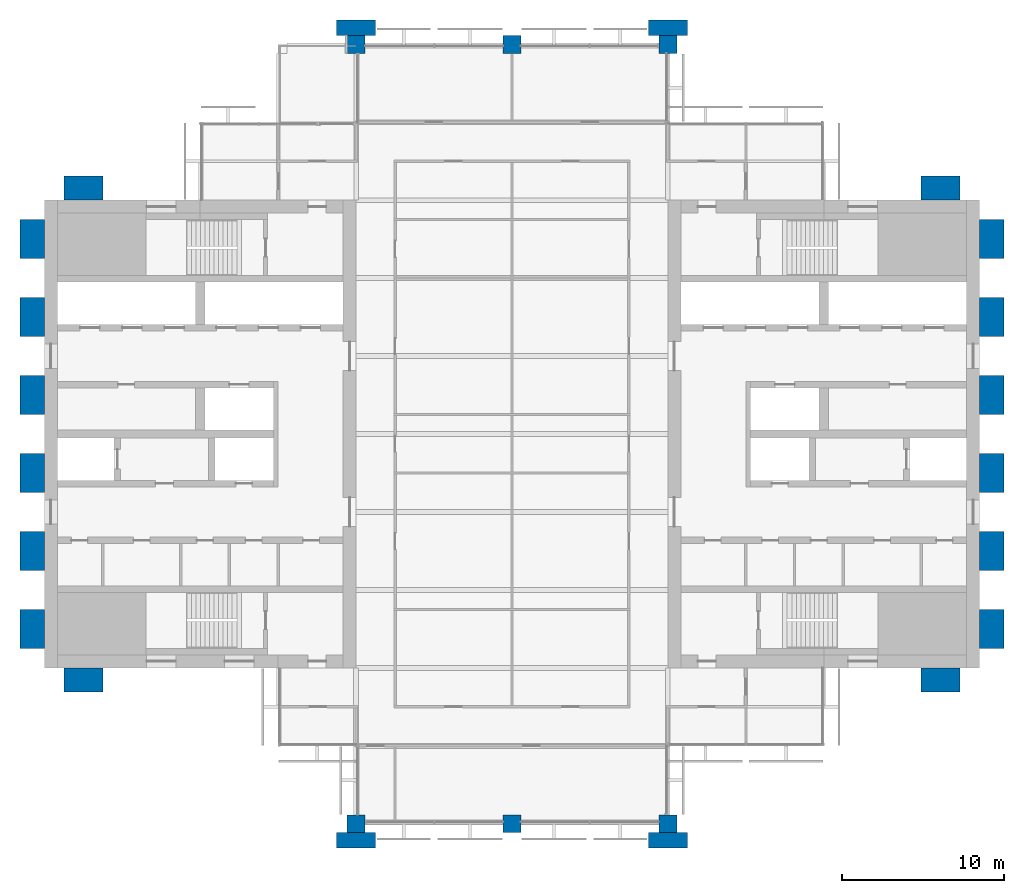
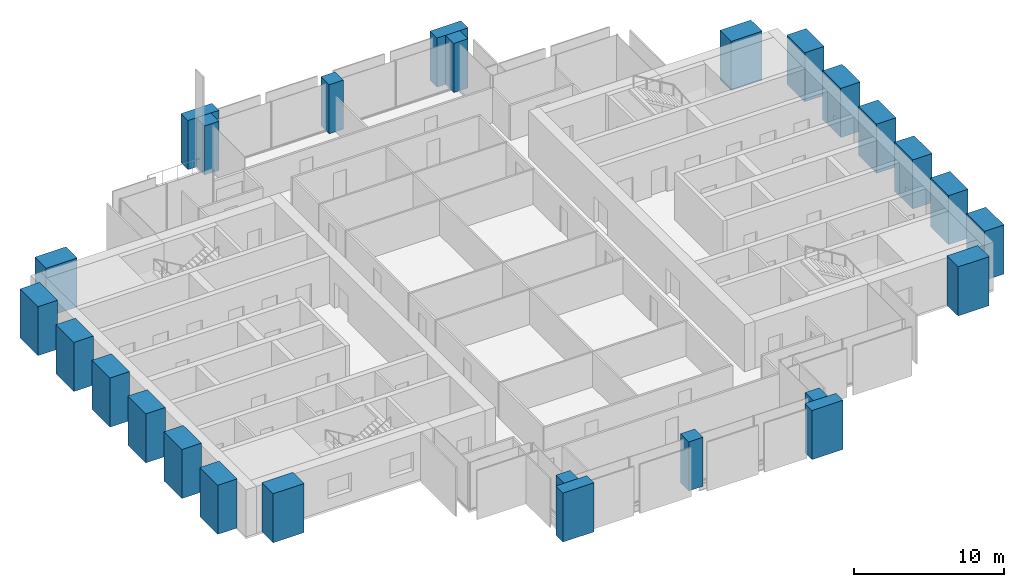
# One storey, part 1 of 13: 26 columns.
"""IFC4 building model written with IfcOpenShell, lengths in metres."""

from ifc_helpers import new_model, si_unit, direction, frame, origin, origin_2d, place, context, subcontext, project, spatial, rectangle, extrude, material, material_profile, profile_set, type_object, element, save


model = new_model("IFC4")

# Units and contexts
model_context = context("Model", 3, precision=1e-05, world=origin(), true_north=direction((0.0, 1.0)))
body_context = subcontext(model_context, "Body", "Model", "MODEL_VIEW")
ifc_project = project(units=[si_unit("LENGTHUNIT", "METRE"), si_unit("AREAUNIT", "SQUARE_METRE"), si_unit("VOLUMEUNIT", "CUBIC_METRE"), si_unit("PLANEANGLEUNIT", "RADIAN"), si_unit("MASSUNIT", "GRAM", prefix="KILO")], contexts=[model_context])

# Site, building, storey
site_placement = place(None, origin())
site = spatial("IfcSite", under=ifc_project, at=site_placement, CompositionType="ELEMENT")
building_placement = place(site_placement, origin())
building = spatial("IfcBuilding", under=site, at=building_placement, Name="Baori Bourse Tower", CompositionType="ELEMENT")
storey_placement = place(building_placement, frame((0.0, 0.0, 229.199951171875)))
storey = spatial("IfcBuildingStorey", under=building, at=storey_placement, Name="L50", CompositionType="ELEMENT", Elevation=229.199951171875)

# Columns
ifc_material_1 = material(Name="Concrete f'c 60 MPa", Category="concrete")
ifc_material_profile_1 = material_profile(ifc_material_1, rectangle(XDim=2.39990234375, YDim=0.949951171875, at=origin_2d()), Name="RC 2400x950")
ifc_profile_set_1 = profile_set([ifc_material_profile_1], Name="Concrete f'c 60 MPa")
column_type_1 = type_object("IfcColumnType", Name="FN3 Brick pilaster 2400x950", PredefinedType="PILASTER", material=ifc_profile_set_1)
for number, where, z_axis, x_axis, name in (
    (1, (19.199951171875, -1.02490234375, 0.0), (0.0, 0.0, 1.0), (1.0, 0.0, 0.0), "Brick pilaster L50 17"),
    (2, (38.39990234375, -1.02490234375, 0.0), (0.0, 0.0, 1.0), (1.0, 0.0, 0.0), "Brick pilaster L50 18"),
    (3, (19.199951171875, 49.02490234375, 0.0), (0.0, 0.0, 1.0), (1.0, 0.0, 0.0), "Brick pilaster L50 19"),
    (4, (38.39990234375, 49.02490234375, 0.0), (0.0, 0.0, 1.0), (1.0, 0.0, 0.0), "Brick pilaster L50 20"),
):
    element("IfcColumn", number, at=place(storey_placement, frame(where, z_axis=z_axis, x_axis=x_axis)), inside=storey, type_object=column_type_1, Name=name, PredefinedType="PILASTER", context=body_context, shape_type="SweptSolid", body=[
        extrude(rectangle(XDim=2.39990234375, YDim=0.949951171875, at=origin_2d()), origin(), (0.0, 0.0, 1.0), 4.0),
    ])
ifc_material_2 = material(Name="Concrete f'c 60 MPa", Category="concrete")
ifc_material_profile_2 = material_profile(ifc_material_2, rectangle(XDim=2.39990234375, YDim=1.5, at=origin_2d()), Name="RC 2400x1500")
ifc_profile_set_2 = profile_set([ifc_material_profile_2], Name="Concrete f'c 60 MPa")
column_type_2 = type_object("IfcColumnType", Name="FN4 Brick flank pilaster 2400x1500", PredefinedType="PILASTER", material=ifc_profile_set_2)
for number, where, z_axis, x_axis, name in (
    (5, (55.199951171875, 8.85009765625, 0.0), (0.0, 0.0, 1.0), (1.0, 0.0, 0.0), "Brick pilaster L50 1"),
    (6, (58.35009765625, 12.0, 0.0), (0.0, 0.0, 1.0), (0.0, 1.0, 0.0), "Brick pilaster L50 2"),
    (7, (58.35009765625, 16.800048828125, 0.0), (0.0, 0.0, 1.0), (0.0, 1.0, 0.0), "Brick pilaster L50 3"),
    (8, (58.35009765625, 21.60009765625, 0.0), (0.0, 0.0, 1.0), (0.0, 1.0, 0.0), "Brick pilaster L50 4"),
    (9, (58.35009765625, 26.39990234375, 0.0), (0.0, 0.0, 1.0), (0.0, 1.0, 0.0), "Brick pilaster L50 5"),
    (10, (58.35009765625, 31.199951171875, 0.0), (0.0, 0.0, 1.0), (0.0, 1.0, 0.0), "Brick pilaster L50 6"),
    (11, (58.35009765625, 36.0, 0.0), (0.0, 0.0, 1.0), (0.0, 1.0, 0.0), "Brick pilaster L50 7"),
    (12, (55.199951171875, 39.14990234375, 0.0), (0.0, 0.0, 1.0), (1.0, 0.0, 0.0), "Brick pilaster L50 8"),
    (13, (2.39990234375, 39.14990234375, 0.0), (0.0, 0.0, 1.0), (1.0, 0.0, 0.0), "Brick pilaster L50 9"),
    (14, (-0.75, 12.0, 0.0), (0.0, 0.0, 1.0), (0.0, 1.0, 0.0), "Brick pilaster L50 10"),
    (15, (-0.75, 16.800048828125, 0.0), (0.0, 0.0, 1.0), (0.0, 1.0, 0.0), "Brick pilaster L50 11"),
    (16, (-0.75, 21.60009765625, 0.0), (0.0, 0.0, 1.0), (0.0, 1.0, 0.0), "Brick pilaster L50 12"),
    (17, (-0.75, 26.39990234375, 0.0), (0.0, 0.0, 1.0), (0.0, 1.0, 0.0), "Brick pilaster L50 13"),
    (18, (-0.75, 31.199951171875, 0.0), (0.0, 0.0, 1.0), (0.0, 1.0, 0.0), "Brick pilaster L50 14"),
    (19, (-0.75, 36.0, 0.0), (0.0, 0.0, 1.0), (0.0, 1.0, 0.0), "Brick pilaster L50 15"),
    (20, (2.39990234375, 8.85009765625, 0.0), (0.0, 0.0, 1.0), (1.0, 0.0, 0.0), "Brick pilaster L50 16"),
):
    element("IfcColumn", number, at=place(storey_placement, frame(where, z_axis=z_axis, x_axis=x_axis)), inside=storey, type_object=column_type_2, Name=name, PredefinedType="PILASTER", context=body_context, shape_type="SweptSolid", body=[
        extrude(rectangle(XDim=2.39990234375, YDim=1.5, at=origin_2d()), origin(), (0.0, 0.0, 1.0), 4.0),
    ])
ifc_material_3 = material(Name="Concrete f'c 50 MPa", Category="concrete")
ifc_material_profile_3 = material_profile(ifc_material_3, rectangle(XDim=1.10009765625, YDim=1.10009765625, at=origin_2d()), Name="RC 1100x1100")
ifc_profile_set_3 = profile_set([ifc_material_profile_3], Name="Concrete f'c 50 MPa")
column_type_3 = type_object("IfcColumnType", Name="Perimeter column 50 RC 1100x1100", PredefinedType="COLUMN", material=ifc_profile_set_3)
for number, where, z_axis, x_axis, name in (
    (21, (19.199951171875, 0.0, 0.0), (0.0, 0.0, 1.0), (1.0, 0.0, 0.0), "Perimeter column L50"),
    (22, (28.800048828125, 0.0, 0.0), (0.0, 0.0, 1.0), (1.0, 0.0, 0.0), "Perimeter column L50"),
    (23, (38.39990234375, 0.0, 0.0), (0.0, 0.0, 1.0), (1.0, 0.0, 0.0), "Perimeter column L50"),
    (24, (19.199951171875, 48.0, 0.0), (0.0, 0.0, 1.0), (1.0, 0.0, 0.0), "Perimeter column L50"),
    (25, (28.800048828125, 48.0, 0.0), (0.0, 0.0, 1.0), (1.0, 0.0, 0.0), "Perimeter column L50"),
    (26, (38.39990234375, 48.0, 0.0), (0.0, 0.0, 1.0), (1.0, 0.0, 0.0), "Perimeter column L50"),
):
    element("IfcColumn", number, at=place(storey_placement, frame(where, z_axis=z_axis, x_axis=x_axis)), inside=storey, type_object=column_type_3, Name=name, PredefinedType="COLUMN", context=body_context, shape_type="SweptSolid", body=[
        extrude(rectangle(XDim=1.10009765625, YDim=1.10009765625, at=origin_2d()), origin(), (0.0, 0.0, 1.0), 4.0),
    ])

save(model, "model.ifc")
